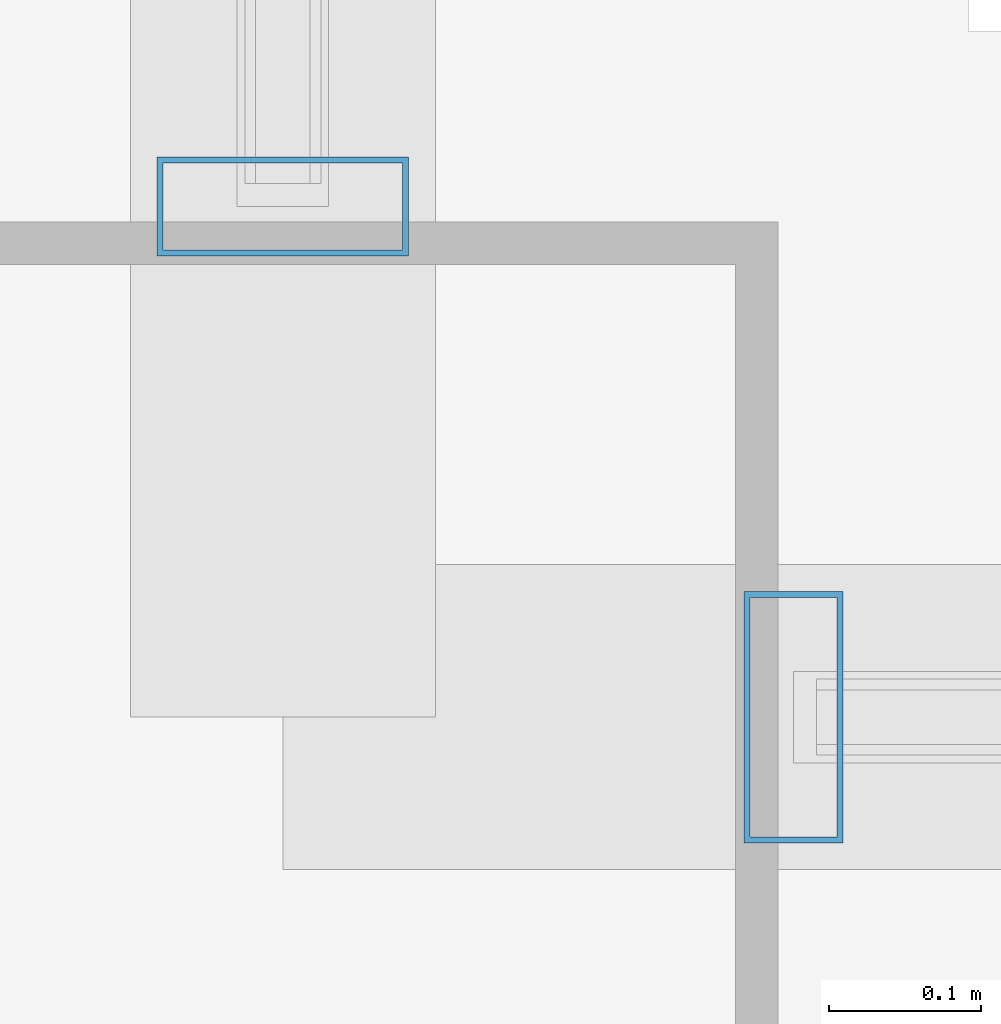
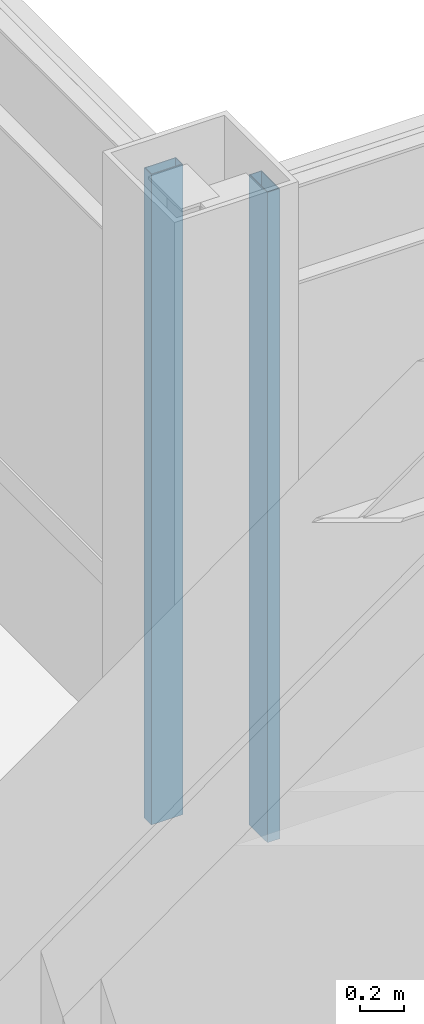
# One storey, part 15 of 30: 2 members, 2 elements without a shape of their own.
"""IFC4 building model written with IfcOpenShell, lengths in metres."""

from ifc_helpers import new_model, si_unit, direction, frame, origin, origin_2d, place, context, subcontext, project, spatial, hollow_rectangle, extrude, material, layer, layer_set, material_profile, profile_set, type_object, element, aggregate, save


model = new_model("IFC4")

# Units and contexts
model_context = context("Model", 3, precision=1e-05, world=origin(), true_north=direction((0.0, 1.0)))
body_context = subcontext(model_context, "Body", "Model", "MODEL_VIEW")
ifc_project = project(units=[si_unit("LENGTHUNIT", "METRE"), si_unit("AREAUNIT", "SQUARE_METRE"), si_unit("VOLUMEUNIT", "CUBIC_METRE"), si_unit("PLANEANGLEUNIT", "RADIAN"), si_unit("MASSUNIT", "GRAM", prefix="KILO")], contexts=[model_context])

# Site, building, storey
site_placement = place(None, origin())
site = spatial("IfcSite", under=ifc_project, at=site_placement, CompositionType="ELEMENT")
building_placement = place(site_placement, origin())
building = spatial("IfcBuilding", under=site, at=building_placement, Name="Brelmoor Portico Tower", CompositionType="ELEMENT")
storey_placement = place(building_placement, frame((0.0, 0.0, 236.39990234375)))
storey = spatial("IfcBuildingStorey", under=building, at=storey_placement, Name="L62", CompositionType="ELEMENT", Elevation=236.39990234375)

# Curtain wall, member
ifc_material = material(Name="Anodised Aluminium Alloy 6063-T6", Category="aluminium")
ifc_layer = layer(ifc_material, 0.179931640625)
ifc_layer_set = layer_set([ifc_layer], Name="Anodised Aluminium Alloy 6063-T6")
curtain_wall_type = type_object("IfcCurtainWallType", Name="CW-NOTCH-CHAMFER", PredefinedType="NOTDEFINED", material=ifc_layer_set)
curtain_wall_1_placement = place(storey_placement, origin())
curtain_wall_1 = element("IfcCurtainWall", 1, at=curtain_wall_1_placement, inside=storey, type_object=curtain_wall_type, Name="L62 Curtain Wall CWN-L62-NEH", PredefinedType="NOTDEFINED")
ifc_material_profile = material_profile(ifc_material, hollow_rectangle(XDim=0.06494140625, YDim=0.1650390625, WallThickness=0.00390625, at=origin_2d()), Name="ALU MULLION 65x165")
ifc_profile_set = profile_set([ifc_material_profile], Name="Anodised Aluminium Alloy 6063-T6")
member_type = type_object("IfcMemberType", Name="MB-CW-MULL-165", PredefinedType="MULLION", material=ifc_profile_set)
member_1_placement = place(storey_placement, frame((12.885009765625, 11.550048828125, -0.199951171875), z_axis=(0.0, 0.0, 1.0), x_axis=(1.0, 0.0, 0.0)))
member_1 = element("IfcMember", 2, at=member_1_placement, type_object=member_type, Name="CWN-L62-NEH Mullion 00", PredefinedType="MULLION", context=body_context, shape_type="SweptSolid", body=[
    extrude(hollow_rectangle(XDim=0.06494140625, YDim=0.1650390625, WallThickness=0.00390625, at=origin_2d()), origin(), (0.0, 0.0, 1.0), 3.60009765625),
])
aggregate(curtain_wall_1, [member_1])

curtain_wall_2_placement = place(storey_placement, origin())
curtain_wall_2 = element("IfcCurtainWall", 3, at=curtain_wall_2_placement, inside=storey, type_object=curtain_wall_type, Name="L62 Curtain Wall CWN-L62-NEV", PredefinedType="NOTDEFINED")
member_2_placement = place(storey_placement, frame((12.550048828125, 11.885009765625, -0.199951171875), z_axis=(0.0, 0.0, 1.0), x_axis=(0.0, 1.0, 0.0)))
member_2 = element("IfcMember", 4, at=member_2_placement, type_object=member_type, Name="CWN-L62-NEV Mullion 00", PredefinedType="MULLION", context=body_context, shape_type="SweptSolid", body=[
    extrude(hollow_rectangle(XDim=0.06494140625, YDim=0.1650390625, WallThickness=0.00390625, at=origin_2d()), origin(), (0.0, 0.0, 1.0), 3.60009765625),
])
aggregate(curtain_wall_2, [member_2])

save(model, "model.ifc")
